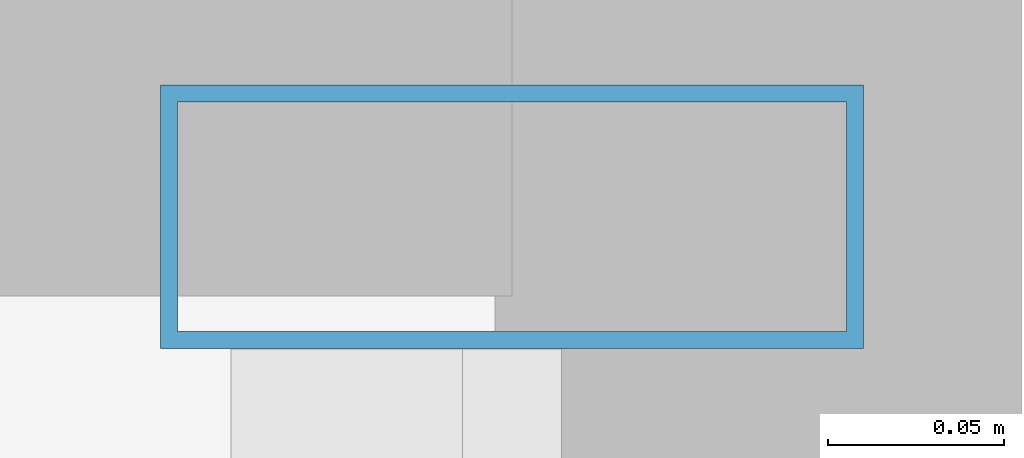
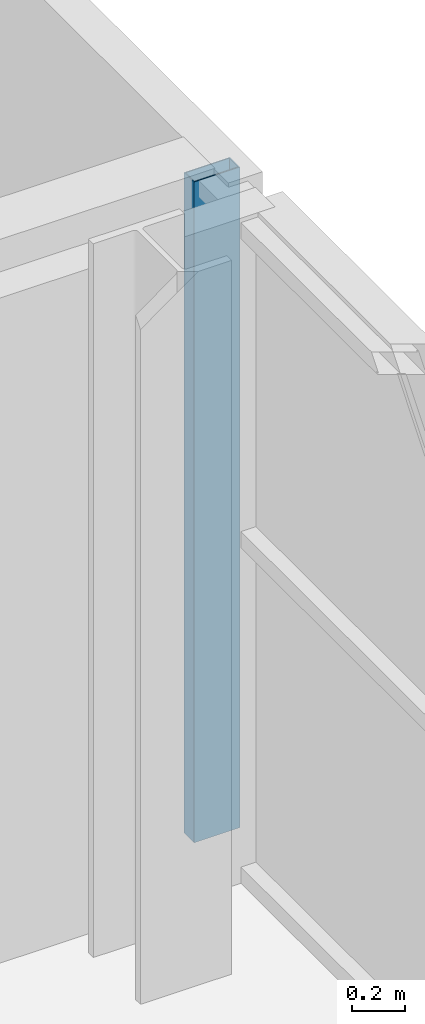
# One storey, part 13 of 21: 1 member, 1 element without a shape of its own.
"""IFC4 building model written with IfcOpenShell, lengths in metres."""

from ifc_helpers import new_model, si_unit, direction, frame, origin, origin_2d, place, context, subcontext, project, spatial, hollow_rectangle, extrude, source, transform, mapped, material, layer, layer_set, material_profile, profile_set, type_object, element, aggregate, save


model = new_model("IFC4")

# Units and contexts
model_context = context("Model", 3, precision=1e-05, world=origin(), true_north=direction((0.0, 1.0)))
body_context = subcontext(model_context, "Body", "Model", "MODEL_VIEW")
ifc_project = project(units=[si_unit("LENGTHUNIT", "METRE"), si_unit("AREAUNIT", "SQUARE_METRE"), si_unit("VOLUMEUNIT", "CUBIC_METRE"), si_unit("PLANEANGLEUNIT", "RADIAN"), si_unit("MASSUNIT", "GRAM", prefix="KILO")], contexts=[model_context])

# Site, building, storey
site_placement = place(None, origin())
site = spatial("IfcSite", under=ifc_project, at=site_placement, CompositionType="ELEMENT")
building_placement = place(site_placement, origin())
building = spatial("IfcBuilding", under=site, at=building_placement, Name="Zarnakvel Exchange Tower", CompositionType="ELEMENT")
storey_placement = place(building_placement, frame((0.0, 0.0, 182.5)))
storey = spatial("IfcBuildingStorey", under=building, at=storey_placement, Name="L51", CompositionType="ELEMENT", Elevation=182.5)

# Curtain wall, member
ifc_material = material(Name="Architectural Bronze Anodised Aluminium", Category="aluminium")
ifc_layer = layer(ifc_material, 0.199951171875)
ifc_layer_set = layer_set([ifc_layer], Name="Architectural Bronze Anodised Aluminium")
curtain_wall_type = type_object("IfcCurtainWallType", Name="CW-04", PredefinedType="NOTDEFINED", material=ifc_layer_set)
curtain_wall_placement = place(storey_placement, origin())
curtain_wall = element("IfcCurtainWall", 1, at=curtain_wall_placement, inside=storey, type_object=curtain_wall_type, Name="L51 Curtain Wall CW-L51-EN (CW-04)", PredefinedType="NOTDEFINED")
ifc_material_profile = material_profile(ifc_material, hollow_rectangle(XDim=0.199951171875, YDim=0.074951171875, WallThickness=0.0048828125, at=origin_2d()))
ifc_profile_set = profile_set([ifc_material_profile], Name="Architectural Bronze Anodised Aluminium")
member_type = type_object("IfcMemberType", Name="CWM-04", PredefinedType="MULLION", material=ifc_profile_set)
shared_shape = source(origin(), body_context, "Body", "SweptSolid", [
    extrude(hollow_rectangle(XDim=0.199951171875, YDim=0.074951171875, WallThickness=0.0048828125, at=origin_2d()), origin(), (0.0, 0.0, 1.0), 3.054931640625),
])
member_placement = place(storey_placement, frame((26.4599609375, 14.16259765625, 0.0), z_axis=(0.0, 0.0, 1.0), x_axis=(-1.0, 0.0, 0.0)))
member = element("IfcMember", 2, at=member_placement, type_object=member_type, Name="CW-04 mullion 3", PredefinedType="MULLION", context=body_context, shape_type="MappedRepresentation", body=[
    mapped(shared_shape, transform((0.0, 0.0, 0.0), x_axis=(1.0, 0.0, 0.0), y_axis=(0.0, 1.0, 0.0), z_axis=(0.0, 0.0, 1.0), scale=1.0)),
])
aggregate(curtain_wall, [member])

save(model, "model.ifc")
